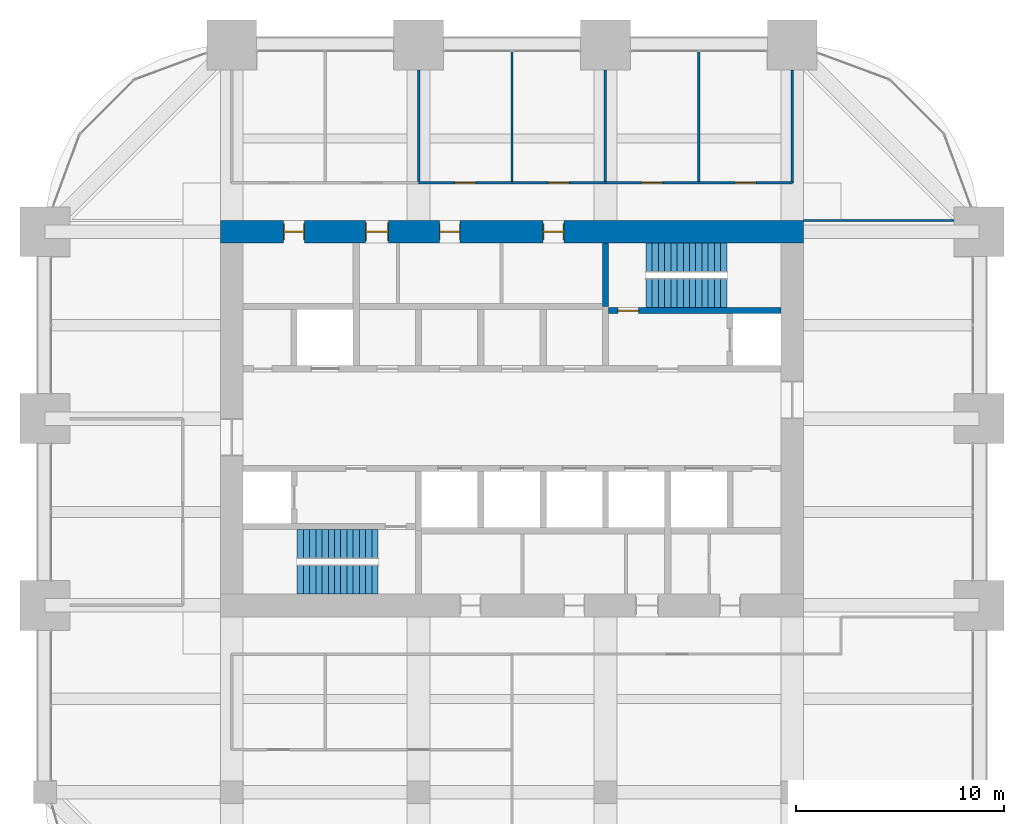
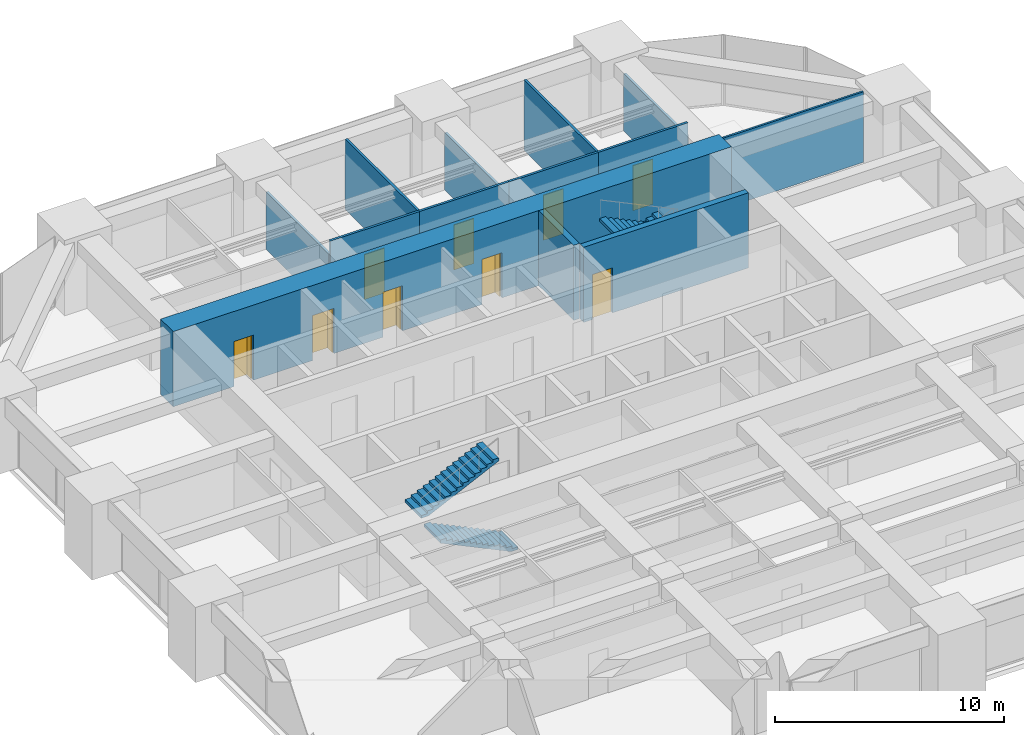
# One storey, part 44 of 45: 13 walls, 9 doors, 4 stair flights, 9 openings, 2 elements without a shape of their own.
"""IFC4 building model written with IfcOpenShell, lengths in metres."""

import ifcopenshell
import ifcopenshell.guid

model = None  # the IFC model being written
_history = None  # IfcOwnerHistory: only IFC2X3 demands one
_inside = {}  # id of a spatial element -> (the spatial element, [elements in it])
_under = {}  # id of a project, library or spatial element -> (it, [spatial elements below it])
_declared = {}  # id of a project -> (the project, [libraries it declares])
_typed = {}  # id of a type object -> (the type object, [elements of that type])
_made_of = {}  # id of a material, layer set ... -> (it, [elements and type objects made of it])


def new_model(schema):
    """Start an empty IFC model of exactly this schema.

    Asked for "IFC4X3", IfcOpenShell would pick the latest addendum, in which some entities
    have other attributes; the version numbers below select the first issue.
    IFC2X3 requires an IfcOwnerHistory on every rooted entity: one is made here for all.
    """
    global model, _history
    if schema == "IFC4X3":
        model = ifcopenshell.file(schema_version=(4, 3, 0, 0))
    else:
        model = ifcopenshell.file(schema=schema)
    _inside.clear()
    _under.clear()
    _declared.clear()
    _typed.clear()
    _made_of.clear()
    _history = None
    if model.schema == "IFC2X3":
        org = make("IfcOrganization", Name="unknown")
        user = make(
            "IfcPersonAndOrganization",
            ThePerson=make("IfcPerson", FamilyName="unknown"),
            TheOrganization=org,
        )
        app = make(
            "IfcApplication",
            ApplicationDeveloper=org,
            Version="unknown",
            ApplicationFullName="unknown",
            ApplicationIdentifier="unknown",
        )
        _history = make(
            "IfcOwnerHistory",
            OwningUser=user,
            OwningApplication=app,
            ChangeAction="ADDED",
            CreationDate=0,
        )
    return model


def make(cls, **values):
    """One entity of the class cls with the attributes given. An attribute that is None is left unset."""
    return model.create_entity(
        cls, **{name: value for name, value in values.items() if value is not None}
    )


def rooted(cls, **values):
    """An entity with a GlobalId (a new one), such as an element, a storey or a relation."""
    return make(cls, GlobalId=ifcopenshell.guid.new(), OwnerHistory=_history, **values)


def si_unit(unit_type, name, prefix=None):
    """IfcSIUnit, for example si_unit("LENGTHUNIT", "METRE", prefix="MILLI")."""
    return make("IfcSIUnit", UnitType=unit_type, Prefix=prefix, Name=name)


def assignment(units):
    """IfcUnitAssignment: the units of a project."""
    return None if units is None else make("IfcUnitAssignment", Units=units)


def point(xyz):
    """IfcCartesianPoint."""
    return None if xyz is None else make("IfcCartesianPoint", Coordinates=xyz)


def direction(xyz):
    """IfcDirection."""
    return None if xyz is None else make("IfcDirection", DirectionRatios=xyz)


def frame(location, z_axis=None, x_axis=None):
    """IfcAxis2Placement3D, a coordinate frame: its origin and axes. An axis left out is left unset."""
    return make(
        "IfcAxis2Placement3D",
        Location=point(location),
        Axis=direction(z_axis),
        RefDirection=direction(x_axis),
    )


def frame_2d(location, x_axis=None):
    """IfcAxis2Placement2D, a coordinate frame in the plane: its origin and x axis."""
    return make(
        "IfcAxis2Placement2D", Location=point(location), RefDirection=direction(x_axis)
    )


def origin():
    """The frame at (0, 0, 0) with its axes left unset."""
    return frame((0.0, 0.0, 0.0))


def place(relative_to, where):
    """IfcLocalPlacement: puts the frame where relative to a parent placement (None: the world)."""
    return make(
        "IfcLocalPlacement", PlacementRelTo=relative_to, RelativePlacement=where
    )


def context(
    kind, dimensions, precision=None, world=None, true_north=None, identifier=None
):
    """IfcGeometricRepresentationContext, for example the 3D "Model" context."""
    return make(
        "IfcGeometricRepresentationContext",
        ContextIdentifier=identifier,
        ContextType=kind,
        CoordinateSpaceDimension=dimensions,
        Precision=precision,
        WorldCoordinateSystem=world,
        TrueNorth=true_north,
    )


def subcontext(parent, identifier, kind, view, scale=None):
    """IfcGeometricRepresentationSubContext, for example "Body" below "Model"."""
    return make(
        "IfcGeometricRepresentationSubContext",
        ContextIdentifier=identifier,
        ContextType=kind,
        ParentContext=parent,
        TargetScale=scale,
        TargetView=view,
    )


def project(units=None, contexts=None):
    """IfcProject with its units and contexts."""
    return rooted(
        "IfcProject",
        Name="project",
        RepresentationContexts=contexts,
        UnitsInContext=assignment(units),
    )


def spatial(cls, under=None, at=None, **own):
    """A site, building, storey or space (cls), placed at a placement, below another one or the project."""
    s = rooted(cls, ObjectPlacement=at, **own)
    if under is not None:
        _under.setdefault(under.id(), (under, []))[1].append(s)
    return s


def polyline(points):
    """IfcPolyline through the points."""
    return make("IfcPolyline", Points=[point(p) for p in points])


def profile(cls, at=None, kind="AREA", **sizes):
    """A parametric profile (cls). Its sizes go by their IFC names, for example OverallWidth=200.0."""
    return make(cls, ProfileType=kind, Position=at, **sizes)


def rectangle(**sizes):
    """IfcRectangleProfileDef."""
    return profile("IfcRectangleProfileDef", **sizes)


def outline(outer, holes=None, kind="AREA"):
    """IfcArbitraryClosedProfileDef: a profile drawn as a closed curve; with holes, ...WithVoids."""
    if holes is None:
        return make("IfcArbitraryClosedProfileDef", ProfileType=kind, OuterCurve=outer)
    return make(
        "IfcArbitraryProfileDefWithVoids",
        ProfileType=kind,
        OuterCurve=outer,
        InnerCurves=holes,
    )


def extrude(swept, where, along, depth):
    """IfcExtrudedAreaSolid: the profile swept, set in the frame where, extruded along a direction by depth."""
    return make(
        "IfcExtrudedAreaSolid",
        SweptArea=swept,
        Position=where,
        ExtrudedDirection=direction(along),
        Depth=depth,
    )


def shape(context_of_items, identifier, shape_type, items):
    """IfcShapeRepresentation: the items that make up one representation, for example the "Body"."""
    return make(
        "IfcShapeRepresentation",
        ContextOfItems=context_of_items,
        RepresentationIdentifier=identifier,
        RepresentationType=shape_type,
        Items=items,
    )


def material(Name=None, Category=None):
    """IfcMaterial."""
    return make("IfcMaterial", Name=Name, Category=Category)


def layer(
    of_material, thickness, ventilated=None, Name=None, Category=None, Priority=None
):
    """IfcMaterialLayer: one layer of a wall or slab, of a material (None: an air gap)."""
    return make(
        "IfcMaterialLayer",
        Material=of_material,
        LayerThickness=thickness,
        IsVentilated=ventilated,
        Name=Name,
        Category=Category,
        Priority=Priority,
    )


def layer_set(layers, Name=None):
    """IfcMaterialLayerSet."""
    return make("IfcMaterialLayerSet", MaterialLayers=layers, LayerSetName=Name)


def made_of(thing, what):
    """Note that an element or type object is made of a material, layer set ...; save() writes the relation."""
    if what is not None:
        _made_of.setdefault(what.id(), (what, []))[1].append(thing)
    return thing


def type_object(cls, material=None, **own):
    """A type object (cls), such as IfcWallType, which elements share."""
    return made_of(rooted(cls, **own), material)


def element(
    cls,
    number,
    at=None,
    inside=None,
    cuts=None,
    type_object=None,
    material=None,
    context=None,
    identifier="Body",
    shape_type=None,
    held_by="IfcProductDefinitionShape",
    body=None,
    shapes=None,
    **own,
):
    """One element of the class cls, such as IfcWall. Its Tag is "e" and its number.

    at: its placement. inside: the storey or other place that contains it. cuts: it is an
    opening in that element (IfcRelVoidsElement). A single representation is given by context,
    identifier, shape_type and body (its items); several are given by shapes. held_by: the class
    of the entity that holds the representations. save() writes the other relations.
    """
    e = rooted(cls, Tag="e%d" % number, ObjectPlacement=at, **own)
    if body is not None:
        shapes = [shape(context, identifier, shape_type, body)]
    if shapes is not None:
        e.Representation = make(held_by, Representations=shapes)
    if inside is not None:
        _inside.setdefault(inside.id(), (inside, []))[1].append(e)
    if cuts is not None:
        rooted(
            "IfcRelVoidsElement", RelatingBuildingElement=cuts, RelatedOpeningElement=e
        )
    if type_object is not None:
        _typed.setdefault(type_object.id(), (type_object, []))[1].append(e)
    return made_of(e, material)


def fill(opening, filler):
    """IfcRelFillsElement: the door or window that sits in an opening."""
    return rooted(
        "IfcRelFillsElement",
        RelatingOpeningElement=opening,
        RelatedBuildingElement=filler,
    )


def aggregate(whole, parts):
    """IfcRelAggregates: a whole, such as a stair, and the parts it consists of."""
    return rooted("IfcRelAggregates", RelatingObject=whole, RelatedObjects=parts)


def save(model, path):
    """Write the relations noted so far, then the file.

    IfcRelAggregates (storeys below a building ...), IfcRelContainedInSpatialStructure (elements
    in a storey), IfcRelDefinesByType, IfcRelAssociatesMaterial and IfcRelDeclares: one each for
    every whole, place, type object, material and project.
    """
    for whole, parts in _under.values():
        aggregate(whole, parts)
    for where, things in _inside.values():
        rooted(
            "IfcRelContainedInSpatialStructure",
            RelatedElements=things,
            RelatingStructure=where,
        )
    for kind, things in _typed.values():
        rooted("IfcRelDefinesByType", RelatedObjects=things, RelatingType=kind)
    for what, things in _made_of.values():
        rooted("IfcRelAssociatesMaterial", RelatedObjects=things, RelatingMaterial=what)
    for by, libraries in _declared.values():
        rooted("IfcRelDeclares", RelatingContext=by, RelatedDefinitions=libraries)
    model.write(path)


model = new_model("IFC4")

# Units and contexts
model_context = context("Model", 3, precision=1e-05, world=origin(), true_north=direction((0.0, 1.0)))
body_context = subcontext(model_context, "Body", "Model", "MODEL_VIEW")
ifc_project = project(units=[si_unit("LENGTHUNIT", "METRE"), si_unit("AREAUNIT", "SQUARE_METRE"), si_unit("VOLUMEUNIT", "CUBIC_METRE"), si_unit("PLANEANGLEUNIT", "RADIAN"), si_unit("MASSUNIT", "GRAM", prefix="KILO")], contexts=[model_context])

# Site, building, storey
site_placement = place(None, origin())
site = spatial("IfcSite", under=ifc_project, at=site_placement, CompositionType="ELEMENT")
building_placement = place(site_placement, origin())
building = spatial("IfcBuilding", under=site, at=building_placement, Name="Zorevar Civic Tower", CompositionType="ELEMENT")
storey_placement = place(building_placement, frame((0.0, 0.0, 247.39990234375)))
storey = spatial("IfcBuildingStorey", under=building, at=storey_placement, Name="L60", CompositionType="ELEMENT", Elevation=247.39990234375)

# Wall, openings, doors
ifc_material_1 = material(Name="Concrete C50/60", Category="concrete")
ifc_layer_1 = layer(ifc_material_1, 1.10009765625)
ifc_layer_set_1 = layer_set([ifc_layer_1], Name="Core wall 1100")
wall_type_1 = type_object("IfcWallType", Name="Core wall 1100", PredefinedType="SHEAR", material=ifc_layer_set_1)
wall_1_placement = place(storey_placement, frame((45.550048828125, 36.0, 0.0), z_axis=(0.0, 0.0, 1.0), x_axis=(-1.0, 0.0, 0.0)))
wall_1 = element("IfcWall", 1, at=wall_1_placement, inside=storey, type_object=wall_type_1, Name="Core wall N L60", PredefinedType="SHEAR", context=body_context, shape_type="SweptSolid", body=[
    extrude(rectangle(XDim=28.10009765625, YDim=1.10009765625, at=frame_2d((14.050048828125, 0.0))), origin(), (0.0, 0.0, 1.0), 4.0),
])
opening_1_placement = place(wall_1_placement, frame((11.550048828125, 0.0, 0.0)))
opening_1 = element("IfcOpeningElement", 2, at=opening_1_placement, cuts=wall_1, Name="Opening L60.07", PredefinedType="OPENING", context=body_context, shape_type="SweptSolid", body=[
    extrude(rectangle(XDim=1.0, YDim=2.39990234375, at=frame_2d((0.5, 1.199951171875))), frame((0.0, 0.56005859375, 0.0), z_axis=(0.0, -1.0, 0.0), x_axis=(1.0, 0.0, 0.0)), (0.0, 0.0, 1.0), 1.1201171875),
])
opening_2_placement = place(wall_1_placement, frame((16.550048828125, 0.0, 0.0)))
opening_2 = element("IfcOpeningElement", 3, at=opening_2_placement, cuts=wall_1, Name="Opening L60.08", PredefinedType="OPENING", context=body_context, shape_type="SweptSolid", body=[
    extrude(rectangle(XDim=1.0, YDim=2.39990234375, at=frame_2d((0.5, 1.199951171875))), frame((0.0, 0.56005859375, 0.0), z_axis=(0.0, -1.0, 0.0), x_axis=(1.0, 0.0, 0.0)), (0.0, 0.0, 1.0), 1.1201171875),
])
opening_3_placement = place(wall_1_placement, frame((20.0, 0.0, 0.0)))
opening_3 = element("IfcOpeningElement", 4, at=opening_3_placement, cuts=wall_1, Name="Opening L60.09", PredefinedType="OPENING", context=body_context, shape_type="SweptSolid", body=[
    extrude(rectangle(XDim=1.10009765625, YDim=2.39990234375, at=frame_2d((0.550048828125, 1.199951171875))), frame((0.0, 0.56005859375, 0.0), z_axis=(0.0, -1.0, 0.0), x_axis=(1.0, 0.0, 0.0)), (0.0, 0.0, 1.0), 1.1201171875),
])
opening_4_placement = place(wall_1_placement, frame((24.050048828125, 0.0, 0.0)))
opening_4 = element("IfcOpeningElement", 5, at=opening_4_placement, cuts=wall_1, Name="Opening L60.10", PredefinedType="OPENING", context=body_context, shape_type="SweptSolid", body=[
    extrude(rectangle(XDim=1.0, YDim=2.39990234375, at=frame_2d((0.5, 1.199951171875))), frame((0.0, 0.56005859375, 0.0), z_axis=(0.0, -1.0, 0.0), x_axis=(1.0, 0.0, 0.0)), (0.0, 0.0, 1.0), 1.1201171875),
])
ifc_material_2 = material(Name="Timber door set", Category="wood")
door_type_1 = type_object("IfcDoorType", Name="Door D1 1000x2400", OperationType="SINGLE_SWING_LEFT", PredefinedType="DOOR", material=ifc_material_2)
door_1_placement = place(opening_1_placement, origin())
door_1 = element("IfcDoor", 6, at=door_1_placement, inside=storey, type_object=door_type_1, Name="Door L60 06", OperationType="SINGLE_SWING_LEFT", OverallHeight=2.39990234375, OverallWidth=1.0, PredefinedType="DOOR", context=body_context, shape_type="SweptSolid", body=[
    extrude(rectangle(XDim=1.0, YDim=2.39990234375, at=frame_2d((0.5, 1.199951171875))), frame((0.0, 0.02490234375, 0.0), z_axis=(0.0, -1.0, 0.0), x_axis=(1.0, 0.0, 0.0)), (0.0, 0.0, 1.0), 0.050048828125),
    extrude(rectangle(XDim=0.04, YDim=2.39990234375, at=frame_2d((0.02001953125, 1.199951171875))), frame((0.0, 0.39990234375, 0.0), z_axis=(0.0, -1.0, 0.0), x_axis=(1.0, 0.0, 0.0)), (0.0, 0.0, 1.0), 0.800048828125),
    extrude(rectangle(XDim=0.04, YDim=2.39990234375, at=frame_2d((0.97998046875, 1.199951171875))), frame((0.0, 0.39990234375, 0.0), z_axis=(0.0, -1.0, 0.0), x_axis=(1.0, 0.0, 0.0)), (0.0, 0.0, 1.0), 0.800048828125),
    extrude(rectangle(XDim=1.0, YDim=0.04, at=frame_2d((0.5, 2.3798828125))), frame((0.0, 0.39990234375, 0.0), z_axis=(0.0, -1.0, 0.0), x_axis=(1.0, 0.0, 0.0)), (0.0, 0.0, 1.0), 0.800048828125),
])
fill(opening_1, door_1)
door_2_placement = place(opening_2_placement, origin())
door_2 = element("IfcDoor", 7, at=door_2_placement, inside=storey, type_object=door_type_1, Name="Door L60 07", OperationType="SINGLE_SWING_RIGHT", OverallHeight=2.39990234375, OverallWidth=1.0, PredefinedType="DOOR", context=body_context, shape_type="SweptSolid", body=[
    extrude(rectangle(XDim=1.0, YDim=2.39990234375, at=frame_2d((0.5, 1.199951171875))), frame((0.0, 0.02490234375, 0.0), z_axis=(0.0, -1.0, 0.0), x_axis=(1.0, 0.0, 0.0)), (0.0, 0.0, 1.0), 0.050048828125),
    extrude(rectangle(XDim=0.04, YDim=2.39990234375, at=frame_2d((0.02001953125, 1.199951171875))), frame((0.0, 0.39990234375, 0.0), z_axis=(0.0, -1.0, 0.0), x_axis=(1.0, 0.0, 0.0)), (0.0, 0.0, 1.0), 0.800048828125),
    extrude(rectangle(XDim=0.04, YDim=2.39990234375, at=frame_2d((0.97998046875, 1.199951171875))), frame((0.0, 0.39990234375, 0.0), z_axis=(0.0, -1.0, 0.0), x_axis=(1.0, 0.0, 0.0)), (0.0, 0.0, 1.0), 0.800048828125),
    extrude(rectangle(XDim=1.0, YDim=0.04, at=frame_2d((0.5, 2.3798828125))), frame((0.0, 0.39990234375, 0.0), z_axis=(0.0, -1.0, 0.0), x_axis=(1.0, 0.0, 0.0)), (0.0, 0.0, 1.0), 0.800048828125),
])
fill(opening_2, door_2)
door_3_placement = place(opening_4_placement, origin())
door_3 = element("IfcDoor", 8, at=door_3_placement, inside=storey, type_object=door_type_1, Name="Door L60 09", OperationType="SINGLE_SWING_RIGHT", OverallHeight=2.39990234375, OverallWidth=1.0, PredefinedType="DOOR", context=body_context, shape_type="SweptSolid", body=[
    extrude(rectangle(XDim=1.0, YDim=2.39990234375, at=frame_2d((0.5, 1.199951171875))), frame((0.0, 0.02490234375, 0.0), z_axis=(0.0, -1.0, 0.0), x_axis=(1.0, 0.0, 0.0)), (0.0, 0.0, 1.0), 0.050048828125),
    extrude(rectangle(XDim=0.04, YDim=2.39990234375, at=frame_2d((0.02001953125, 1.199951171875))), frame((0.0, 0.39990234375, 0.0), z_axis=(0.0, -1.0, 0.0), x_axis=(1.0, 0.0, 0.0)), (0.0, 0.0, 1.0), 0.800048828125),
    extrude(rectangle(XDim=0.04, YDim=2.39990234375, at=frame_2d((0.97998046875, 1.199951171875))), frame((0.0, 0.39990234375, 0.0), z_axis=(0.0, -1.0, 0.0), x_axis=(1.0, 0.0, 0.0)), (0.0, 0.0, 1.0), 0.800048828125),
    extrude(rectangle(XDim=1.0, YDim=0.04, at=frame_2d((0.5, 2.3798828125))), frame((0.0, 0.39990234375, 0.0), z_axis=(0.0, -1.0, 0.0), x_axis=(1.0, 0.0, 0.0)), (0.0, 0.0, 1.0), 0.800048828125),
])
fill(opening_4, door_3)
ifc_material_3 = material(Name="Timber door set", Category="wood")
door_type_2 = type_object("IfcDoorType", Name="Door D5 1100x2400", OperationType="SINGLE_SWING_LEFT", PredefinedType="DOOR", material=ifc_material_3)
door_4_placement = place(opening_3_placement, origin())
door_4 = element("IfcDoor", 9, at=door_4_placement, inside=storey, type_object=door_type_2, Name="Door L60 08", OperationType="SINGLE_SWING_RIGHT", OverallHeight=2.39990234375, OverallWidth=1.10009765625, PredefinedType="DOOR", context=body_context, shape_type="SweptSolid", body=[
    extrude(rectangle(XDim=1.10009765625, YDim=2.39990234375, at=frame_2d((0.550048828125, 1.199951171875))), frame((0.0, 0.02490234375, 0.0), z_axis=(0.0, -1.0, 0.0), x_axis=(1.0, 0.0, 0.0)), (0.0, 0.0, 1.0), 0.050048828125),
    extrude(rectangle(XDim=0.04, YDim=2.39990234375, at=frame_2d((0.02001953125, 1.199951171875))), frame((0.0, 0.43994140625, 0.0), z_axis=(0.0, -1.0, 0.0), x_axis=(1.0, 0.0, 0.0)), (0.0, 0.0, 1.0), 0.880126953125),
    extrude(rectangle(XDim=0.04, YDim=2.39990234375, at=frame_2d((1.080078125, 1.199951171875))), frame((0.0, 0.43994140625, 0.0), z_axis=(0.0, -1.0, 0.0), x_axis=(1.0, 0.0, 0.0)), (0.0, 0.0, 1.0), 0.880126953125),
    extrude(rectangle(XDim=1.10009765625, YDim=0.04, at=frame_2d((0.550048828125, 2.3798828125))), frame((0.0, 0.43994140625, 0.0), z_axis=(0.0, -1.0, 0.0), x_axis=(1.0, 0.0, 0.0)), (0.0, 0.0, 1.0), 0.880126953125),
])
fill(opening_3, door_4)

# Wall
ifc_material_4 = material(Name="Laminated glass in black aluminium frame", Category="aluminium")
ifc_layer_2 = layer(ifc_material_4, 0.10009765625)
ifc_layer_set_2 = layer_set([ifc_layer_2], Name="Glazed partition 100")
wall_type_2 = type_object("IfcWallType", Name="Glazed partition 100", PredefinedType="PARTITIONING", material=ifc_layer_set_2)
wall_2_placement = place(storey_placement, frame((45.550048828125, 36.550048828125, 0.0), z_axis=(0.0, 0.0, 1.0), x_axis=(1.0, 0.0, 0.0)))
element("IfcWall", 10, at=wall_2_placement, inside=storey, type_object=wall_type_2, Name="Glazed partition 100 L60", PredefinedType="PARTITIONING", context=body_context, shape_type="SweptSolid", body=[
    extrude(rectangle(XDim=7.25, YDim=0.10009765625, at=frame_2d((3.625, 0.0))), origin(), (0.0, 0.0, 1.0), 3.75),
])

# Wall, opening, door
ifc_material_5 = material(Name="Concrete C40/50", Category="concrete")
ifc_layer_3 = layer(ifc_material_5, 0.300048828125)
ifc_layer_set_3 = layer_set([ifc_layer_3], Name="Inner core wall 300")
wall_type_3 = type_object("IfcWallType", Name="Inner core wall 300", PredefinedType="SHEAR", material=ifc_layer_set_3)
wall_3_placement = place(storey_placement, frame((36.14990234375, 32.199951171875, 0.0), z_axis=(0.0, 0.0, 1.0), x_axis=(1.0, 0.0, 0.0)))
wall_3 = element("IfcWall", 11, at=wall_3_placement, inside=storey, type_object=wall_type_3, Name="Inner core wall N00 L60", PredefinedType="SHEAR", context=body_context, shape_type="SweptSolid", body=[
    extrude(rectangle(XDim=8.300048828125, YDim=0.300048828125, at=frame_2d((4.14990234375, 0.0))), origin(), (0.0, 0.0, 1.0), 4.0),
])
opening_5_placement = place(wall_3_placement, frame((0.449951171875, 0.0, 0.0)))
opening_5 = element("IfcOpeningElement", 12, at=opening_5_placement, cuts=wall_3, Name="Opening L60.12", PredefinedType="OPENING", context=body_context, shape_type="SweptSolid", body=[
    extrude(rectangle(XDim=1.0, YDim=2.39990234375, at=frame_2d((0.5, 1.199951171875))), frame((0.0, 0.159912109375, 0.0), z_axis=(0.0, -1.0, 0.0), x_axis=(1.0, 0.0, 0.0)), (0.0, 0.0, 1.0), 0.320068359375),
])
ifc_material_6 = material(Name="Steel door set", Category="steel")
door_type_3 = type_object("IfcDoorType", Name="Fire door FD1 1000x2400", OperationType="SINGLE_SWING_LEFT", PredefinedType="DOOR", material=ifc_material_6)
door_5_placement = place(opening_5_placement, origin())
door_5 = element("IfcDoor", 13, at=door_5_placement, inside=storey, type_object=door_type_3, Name="Door L60 11", OperationType="SINGLE_SWING_RIGHT", OverallHeight=2.39990234375, OverallWidth=1.0, PredefinedType="DOOR", context=body_context, shape_type="SweptSolid", body=[
    extrude(rectangle(XDim=1.0, YDim=2.39990234375, at=frame_2d((0.5, 1.199951171875))), frame((0.0, 0.030029296875, 0.0), z_axis=(0.0, -1.0, 0.0), x_axis=(1.0, 0.0, 0.0)), (0.0, 0.0, 1.0), 0.06005859375),
])
fill(opening_5, door_5)

# Wall
wall_4_placement = place(storey_placement, frame((36.0, 32.39990234375, 0.0), z_axis=(0.0, 0.0, 1.0), x_axis=(0.0, 1.0, 0.0)))
element("IfcWall", 14, at=wall_4_placement, inside=storey, type_object=wall_type_3, Name="Inner core wall N01 L60", PredefinedType="SHEAR", context=body_context, shape_type="SweptSolid", body=[
    extrude(rectangle(XDim=3.050048828125, YDim=0.300048828125, at=frame_2d((1.52490234375, 0.0))), origin(), (0.0, 0.0, 1.0), 4.0),
])

# Wall, opening, door
ifc_material_7 = material(Name="Gypsum board on steel studs", Category="steel")
ifc_layer_4 = layer(ifc_material_7, 0.1201171875)
ifc_layer_set_4 = layer_set([ifc_layer_4], Name="Partition 120")
wall_type_4 = type_object("IfcWallType", Name="Partition 120", PredefinedType="PARTITIONING", material=ifc_layer_set_4)
wall_5_placement = place(storey_placement, frame((27.0, 38.35009765625, 0.0), z_axis=(0.0, 0.0, 1.0), x_axis=(1.0, 0.0, 0.0)))
wall_5 = element("IfcWall", 15, at=wall_5_placement, inside=storey, type_object=wall_type_4, Name="Partition 120 L60", PredefinedType="PARTITIONING", context=body_context, shape_type="SweptSolid", body=[
    extrude(rectangle(XDim=4.5, YDim=0.1201171875, at=frame_2d((2.25, 0.0))), origin(), (0.0, 0.0, 1.0), 3.75),
])
opening_6_placement = place(wall_5_placement, frame((1.75, 0.0, 0.0)))
opening_6 = element("IfcOpeningElement", 16, at=opening_6_placement, cuts=wall_5, Name="Opening L60.26", PredefinedType="OPENING", context=body_context, shape_type="SweptSolid", body=[
    extrude(rectangle(XDim=1.0, YDim=2.39990234375, at=frame_2d((0.5, 1.199951171875))), frame((0.0, 0.070068359375, 0.0), z_axis=(0.0, -1.0, 0.0), x_axis=(1.0, 0.0, 0.0)), (0.0, 0.0, 1.0), 0.14013671875),
])
door_6_placement = place(opening_6_placement, origin())
door_6 = element("IfcDoor", 17, at=door_6_placement, inside=storey, type_object=door_type_1, Name="Door L60 D1", OperationType="SINGLE_SWING_LEFT", OverallHeight=2.39990234375, OverallWidth=1.0, PredefinedType="DOOR", context=body_context, shape_type="SweptSolid", body=[
    extrude(rectangle(XDim=1.0, YDim=2.39990234375, at=frame_2d((0.5, 1.199951171875))), frame((0.0, 0.02490234375, 0.0), z_axis=(0.0, -1.0, 0.0), x_axis=(1.0, 0.0, 0.0)), (0.0, 0.0, 1.0), 0.050048828125),
])
fill(opening_6, door_6)

wall_6_placement = place(storey_placement, frame((31.5, 38.35009765625, 0.0), z_axis=(0.0, 0.0, 1.0), x_axis=(1.0, 0.0, 0.0)))
wall_6 = element("IfcWall", 18, at=wall_6_placement, inside=storey, type_object=wall_type_4, Name="Partition 120 L60", PredefinedType="PARTITIONING", context=body_context, shape_type="SweptSolid", body=[
    extrude(rectangle(XDim=4.5, YDim=0.1201171875, at=frame_2d((2.25, 0.0))), origin(), (0.0, 0.0, 1.0), 3.75),
])
opening_7_placement = place(wall_6_placement, frame((1.75, 0.0, 0.0)))
opening_7 = element("IfcOpeningElement", 19, at=opening_7_placement, cuts=wall_6, Name="Opening L60.27", PredefinedType="OPENING", context=body_context, shape_type="SweptSolid", body=[
    extrude(rectangle(XDim=1.0, YDim=2.39990234375, at=frame_2d((0.5, 1.199951171875))), frame((0.0, 0.070068359375, 0.0), z_axis=(0.0, -1.0, 0.0), x_axis=(1.0, 0.0, 0.0)), (0.0, 0.0, 1.0), 0.14013671875),
])
door_7_placement = place(opening_7_placement, origin())
door_7 = element("IfcDoor", 20, at=door_7_placement, inside=storey, type_object=door_type_1, Name="Door L60 D1", OperationType="SINGLE_SWING_RIGHT", OverallHeight=2.39990234375, OverallWidth=1.0, PredefinedType="DOOR", context=body_context, shape_type="SweptSolid", body=[
    extrude(rectangle(XDim=1.0, YDim=2.39990234375, at=frame_2d((0.5, 1.199951171875))), frame((0.0, 0.02490234375, 0.0), z_axis=(0.0, -1.0, 0.0), x_axis=(1.0, 0.0, 0.0)), (0.0, 0.0, 1.0), 0.050048828125),
])
fill(opening_7, door_7)

wall_7_placement = place(storey_placement, frame((36.0, 38.35009765625, 0.0), z_axis=(0.0, 0.0, 1.0), x_axis=(1.0, 0.0, 0.0)))
wall_7 = element("IfcWall", 21, at=wall_7_placement, inside=storey, type_object=wall_type_4, Name="Partition 120 L60", PredefinedType="PARTITIONING", context=body_context, shape_type="SweptSolid", body=[
    extrude(rectangle(XDim=4.5, YDim=0.1201171875, at=frame_2d((2.25, 0.0))), origin(), (0.0, 0.0, 1.0), 3.75),
])
opening_8_placement = place(wall_7_placement, frame((1.75, 0.0, 0.0)))
opening_8 = element("IfcOpeningElement", 22, at=opening_8_placement, cuts=wall_7, Name="Opening L60.28", PredefinedType="OPENING", context=body_context, shape_type="SweptSolid", body=[
    extrude(rectangle(XDim=1.0, YDim=2.39990234375, at=frame_2d((0.5, 1.199951171875))), frame((0.0, 0.070068359375, 0.0), z_axis=(0.0, -1.0, 0.0), x_axis=(1.0, 0.0, 0.0)), (0.0, 0.0, 1.0), 0.14013671875),
])
door_8_placement = place(opening_8_placement, origin())
door_8 = element("IfcDoor", 23, at=door_8_placement, inside=storey, type_object=door_type_1, Name="Door L60 D1", OperationType="SINGLE_SWING_RIGHT", OverallHeight=2.39990234375, OverallWidth=1.0, PredefinedType="DOOR", context=body_context, shape_type="SweptSolid", body=[
    extrude(rectangle(XDim=1.0, YDim=2.39990234375, at=frame_2d((0.5, 1.199951171875))), frame((0.0, 0.02490234375, 0.0), z_axis=(0.0, -1.0, 0.0), x_axis=(1.0, 0.0, 0.0)), (0.0, 0.0, 1.0), 0.050048828125),
])
fill(opening_8, door_8)

wall_8_placement = place(storey_placement, frame((40.5, 38.35009765625, 0.0), z_axis=(0.0, 0.0, 1.0), x_axis=(1.0, 0.0, 0.0)))
wall_8 = element("IfcWall", 24, at=wall_8_placement, inside=storey, type_object=wall_type_4, Name="Partition 120 L60", PredefinedType="PARTITIONING", context=body_context, shape_type="SweptSolid", body=[
    extrude(rectangle(XDim=4.5, YDim=0.1201171875, at=frame_2d((2.25, 0.0))), origin(), (0.0, 0.0, 1.0), 3.75),
])
opening_9_placement = place(wall_8_placement, frame((1.75, 0.0, 0.0)))
opening_9 = element("IfcOpeningElement", 25, at=opening_9_placement, cuts=wall_8, Name="Opening L60.29", PredefinedType="OPENING", context=body_context, shape_type="SweptSolid", body=[
    extrude(rectangle(XDim=1.0, YDim=2.39990234375, at=frame_2d((0.5, 1.199951171875))), frame((0.0, 0.070068359375, 0.0), z_axis=(0.0, -1.0, 0.0), x_axis=(1.0, 0.0, 0.0)), (0.0, 0.0, 1.0), 0.14013671875),
])
door_9_placement = place(opening_9_placement, origin())
door_9 = element("IfcDoor", 26, at=door_9_placement, inside=storey, type_object=door_type_1, Name="Door L60 D1", OperationType="SINGLE_SWING_RIGHT", OverallHeight=2.39990234375, OverallWidth=1.0, PredefinedType="DOOR", context=body_context, shape_type="SweptSolid", body=[
    extrude(rectangle(XDim=1.0, YDim=2.39990234375, at=frame_2d((0.5, 1.199951171875))), frame((0.0, 0.02490234375, 0.0), z_axis=(0.0, -1.0, 0.0), x_axis=(1.0, 0.0, 0.0)), (0.0, 0.0, 1.0), 0.050048828125),
])
fill(opening_9, door_9)

# Walls
wall_9_placement = place(storey_placement, frame((27.0, 38.35009765625, 0.0), z_axis=(0.0, 0.0, 1.0), x_axis=(0.0, 1.0, 0.0)))
element("IfcWall", 27, at=wall_9_placement, inside=storey, type_object=wall_type_4, Name="Partition 120 L60", PredefinedType="PARTITIONING", context=body_context, shape_type="SweptSolid", body=[
    extrude(rectangle(XDim=5.449951171875, YDim=0.1201171875, at=frame_2d((2.72509765625, 0.0))), origin(), (0.0, 0.0, 1.0), 3.050048828125),
])
wall_10_placement = place(storey_placement, frame((31.5, 38.35009765625, 0.0), z_axis=(0.0, 0.0, 1.0), x_axis=(0.0, 1.0, 0.0)))
element("IfcWall", 28, at=wall_10_placement, inside=storey, type_object=wall_type_4, Name="Partition 120 L60", PredefinedType="PARTITIONING", context=body_context, shape_type="SweptSolid", body=[
    extrude(rectangle(XDim=6.33984375, YDim=0.1201171875, at=frame_2d((3.169921875, 0.0))), origin(), (0.0, 0.0, 1.0), 3.75),
])
wall_11_placement = place(storey_placement, frame((36.0, 38.35009765625, 0.0), z_axis=(0.0, 0.0, 1.0), x_axis=(0.0, 1.0, 0.0)))
element("IfcWall", 29, at=wall_11_placement, inside=storey, type_object=wall_type_4, Name="Partition 120 L60", PredefinedType="PARTITIONING", context=body_context, shape_type="SweptSolid", body=[
    extrude(rectangle(XDim=5.449951171875, YDim=0.1201171875, at=frame_2d((2.72509765625, 0.0))), origin(), (0.0, 0.0, 1.0), 3.050048828125),
])
wall_12_placement = place(storey_placement, frame((40.5, 38.35009765625, 0.0), z_axis=(0.0, 0.0, 1.0), x_axis=(0.0, 1.0, 0.0)))
element("IfcWall", 30, at=wall_12_placement, inside=storey, type_object=wall_type_4, Name="Partition 120 L60", PredefinedType="PARTITIONING", context=body_context, shape_type="SweptSolid", body=[
    extrude(rectangle(XDim=6.33984375, YDim=0.1201171875, at=frame_2d((3.169921875, 0.0))), origin(), (0.0, 0.0, 1.0), 3.75),
])
wall_13_placement = place(storey_placement, frame((45.0, 38.35009765625, 0.0), z_axis=(0.0, 0.0, 1.0), x_axis=(0.0, 1.0, 0.0)))
element("IfcWall", 31, at=wall_13_placement, inside=storey, type_object=wall_type_4, Name="Partition 120 L60", PredefinedType="PARTITIONING", context=body_context, shape_type="SweptSolid", body=[
    extrude(rectangle(XDim=5.449951171875, YDim=0.1201171875, at=frame_2d((2.72509765625, 0.0))), origin(), (0.0, 0.0, 1.0), 3.050048828125),
])

# Stair, stair flights
ifc_material_8 = material(Name="Precast concrete C40/50", Category="concrete")
stair_type = type_object("IfcStairType", Name="Stair ST 28R", PredefinedType="HALF_TURN_STAIR", material=ifc_material_8)
stair_1_placement = place(storey_placement, origin())
stair_1 = element("IfcStair", 32, at=stair_1_placement, inside=storey, type_object=stair_type, Name="Stair ST1 L60", PredefinedType="HALF_TURN_STAIR")
ifc_material_9 = material(Name="Precast concrete C40/50", Category="concrete")
stair_flight_type = type_object("IfcStairFlightType", Name="Stair flight", PredefinedType="STRAIGHT", material=ifc_material_9)
stair_flight_1_placement = place(storey_placement, frame((25.050048828125, 19.262451171875, 0.0), z_axis=(0.0, 0.0, 1.0), x_axis=(-1.0, 0.0, 0.0)))
stair_flight_1 = element("IfcStairFlight", 33, at=stair_flight_1_placement, type_object=stair_flight_type, Name="ST1 flight 1", NumberOfRisers=14, NumberOfTreads=13, PredefinedType="STRAIGHT", RiserHeight=0.142857143, TreadLength=0.3, context=body_context, shape_type="SweptSolid", body=[
    extrude(outline(polyline([(0.0, 0.0), (0.0, 0.142822265625), (0.300048828125, 0.142822265625), (0.300048828125, 0.28564453125), (0.60009765625, 0.28564453125), (0.60009765625, 0.428466796875), (0.89990234375, 0.428466796875), (0.89990234375, 0.571533203125), (1.199951171875, 0.571533203125), (1.199951171875, 0.71435546875), (1.5, 0.71435546875), (1.5, 0.857177734375), (1.800048828125, 0.857177734375), (1.800048828125, 1.0), (2.10009765625, 1.0), (2.10009765625, 1.142822265625), (2.39990234375, 1.142822265625), (2.39990234375, 1.28564453125), (2.699951171875, 1.28564453125), (2.699951171875, 1.428466796875), (3.0, 1.428466796875), (3.0, 1.571533203125), (3.300048828125, 1.571533203125), (3.300048828125, 1.71435546875), (3.60009765625, 1.71435546875), (3.60009765625, 1.857177734375), (3.89990234375, 1.857177734375), (3.89990234375, 2.0), (3.89990234375, 1.691162109375), (0.3486328125, 0.0), (0.0, 0.0)])), frame((0.0, 0.71240234375, 0.0), z_axis=(0.0, -1.0, 0.0), x_axis=(1.0, 0.0, 0.0)), (0.0, 0.0, 1.0), 1.425048828125),
])
stair_flight_2_placement = place(storey_placement, frame((21.14990234375, 20.9375, 2.0), z_axis=(0.0, 0.0, 1.0), x_axis=(1.0, 0.0, 0.0)))
stair_flight_2 = element("IfcStairFlight", 34, at=stair_flight_2_placement, type_object=stair_flight_type, Name="ST1 flight 2", NumberOfRisers=14, NumberOfTreads=13, PredefinedType="STRAIGHT", RiserHeight=0.142857143, TreadLength=0.3, context=body_context, shape_type="SweptSolid", body=[
    extrude(outline(polyline([(0.0, 0.0), (0.0, 0.142822265625), (0.300048828125, 0.142822265625), (0.300048828125, 0.28564453125), (0.60009765625, 0.28564453125), (0.60009765625, 0.428466796875), (0.89990234375, 0.428466796875), (0.89990234375, 0.571533203125), (1.199951171875, 0.571533203125), (1.199951171875, 0.71435546875), (1.5, 0.71435546875), (1.5, 0.857177734375), (1.800048828125, 0.857177734375), (1.800048828125, 1.0), (2.10009765625, 1.0), (2.10009765625, 1.142822265625), (2.39990234375, 1.142822265625), (2.39990234375, 1.28564453125), (2.699951171875, 1.28564453125), (2.699951171875, 1.428466796875), (3.0, 1.428466796875), (3.0, 1.571533203125), (3.300048828125, 1.571533203125), (3.300048828125, 1.71435546875), (3.60009765625, 1.71435546875), (3.60009765625, 1.857177734375), (3.89990234375, 1.857177734375), (3.89990234375, 2.0), (3.89990234375, 1.691162109375), (0.3486328125, 0.0), (0.0, 0.0)])), frame((0.0, 0.71240234375, 0.0), z_axis=(0.0, -1.0, 0.0), x_axis=(1.0, 0.0, 0.0)), (0.0, 0.0, 1.0), 1.425048828125),
])
aggregate(stair_1, [stair_flight_1, stair_flight_2])

stair_2_placement = place(storey_placement, origin())
stair_2 = element("IfcStair", 35, at=stair_2_placement, inside=storey, type_object=stair_type, Name="Stair ST2 L60", PredefinedType="HALF_TURN_STAIR")
stair_flight_3_placement = place(storey_placement, frame((37.949951171875, 34.737548828125, 0.0), z_axis=(0.0, 0.0, 1.0), x_axis=(1.0, 0.0, 0.0)))
stair_flight_3 = element("IfcStairFlight", 36, at=stair_flight_3_placement, type_object=stair_flight_type, Name="ST2 flight 1", NumberOfRisers=14, NumberOfTreads=13, PredefinedType="STRAIGHT", RiserHeight=0.142857143, TreadLength=0.3, context=body_context, shape_type="SweptSolid", body=[
    extrude(outline(polyline([(0.0, 0.0), (0.0, 0.142822265625), (0.300048828125, 0.142822265625), (0.300048828125, 0.28564453125), (0.60009765625, 0.28564453125), (0.60009765625, 0.428466796875), (0.89990234375, 0.428466796875), (0.89990234375, 0.571533203125), (1.199951171875, 0.571533203125), (1.199951171875, 0.71435546875), (1.5, 0.71435546875), (1.5, 0.857177734375), (1.800048828125, 0.857177734375), (1.800048828125, 1.0), (2.10009765625, 1.0), (2.10009765625, 1.142822265625), (2.39990234375, 1.142822265625), (2.39990234375, 1.28564453125), (2.699951171875, 1.28564453125), (2.699951171875, 1.428466796875), (3.0, 1.428466796875), (3.0, 1.571533203125), (3.300048828125, 1.571533203125), (3.300048828125, 1.71435546875), (3.60009765625, 1.71435546875), (3.60009765625, 1.857177734375), (3.89990234375, 1.857177734375), (3.89990234375, 2.0), (3.89990234375, 1.691162109375), (0.3486328125, 0.0), (0.0, 0.0)])), frame((0.0, 0.71240234375, 0.0), z_axis=(0.0, -1.0, 0.0), x_axis=(1.0, 0.0, 0.0)), (0.0, 0.0, 1.0), 1.425048828125),
])
stair_flight_4_placement = place(storey_placement, frame((41.85009765625, 33.0625, 2.0), z_axis=(0.0, 0.0, 1.0), x_axis=(-1.0, 0.0, 0.0)))
stair_flight_4 = element("IfcStairFlight", 37, at=stair_flight_4_placement, type_object=stair_flight_type, Name="ST2 flight 2", NumberOfRisers=14, NumberOfTreads=13, PredefinedType="STRAIGHT", RiserHeight=0.142857143, TreadLength=0.3, context=body_context, shape_type="SweptSolid", body=[
    extrude(outline(polyline([(0.0, 0.0), (0.0, 0.142822265625), (0.300048828125, 0.142822265625), (0.300048828125, 0.28564453125), (0.60009765625, 0.28564453125), (0.60009765625, 0.428466796875), (0.89990234375, 0.428466796875), (0.89990234375, 0.571533203125), (1.199951171875, 0.571533203125), (1.199951171875, 0.71435546875), (1.5, 0.71435546875), (1.5, 0.857177734375), (1.800048828125, 0.857177734375), (1.800048828125, 1.0), (2.10009765625, 1.0), (2.10009765625, 1.142822265625), (2.39990234375, 1.142822265625), (2.39990234375, 1.28564453125), (2.699951171875, 1.28564453125), (2.699951171875, 1.428466796875), (3.0, 1.428466796875), (3.0, 1.571533203125), (3.300048828125, 1.571533203125), (3.300048828125, 1.71435546875), (3.60009765625, 1.71435546875), (3.60009765625, 1.857177734375), (3.89990234375, 1.857177734375), (3.89990234375, 2.0), (3.89990234375, 1.691162109375), (0.3486328125, 0.0), (0.0, 0.0)])), frame((0.0, 0.71240234375, 0.0), z_axis=(0.0, -1.0, 0.0), x_axis=(1.0, 0.0, 0.0)), (0.0, 0.0, 1.0), 1.425048828125),
])
aggregate(stair_2, [stair_flight_3, stair_flight_4])

save(model, "model.ifc")
